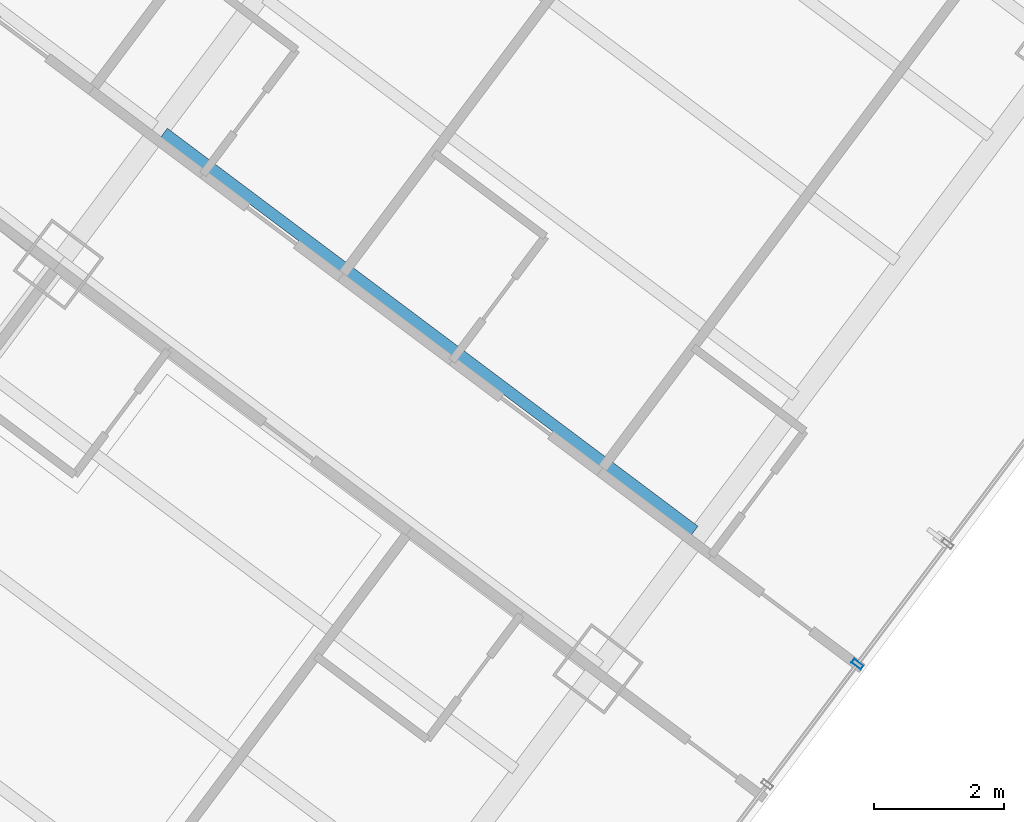
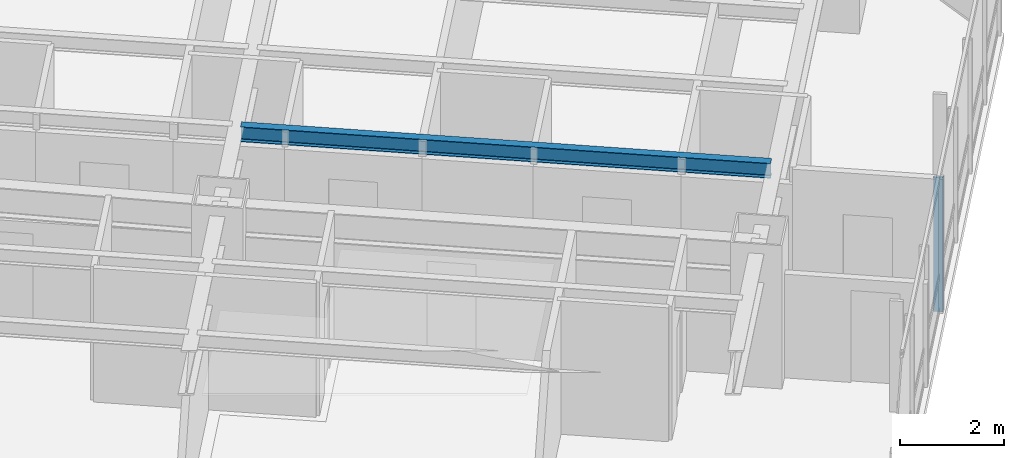
# One storey, part 10 of 37: 1 beam, 1 member, 1 element without a shape of its own.
"""IFC4 building model written with IfcOpenShell, lengths in metres."""

from ifc_helpers import new_model, si_unit, direction, frame, origin, origin_2d, place, context, subcontext, project, spatial, hollow_rectangle, i_section, extrude, material, layer, layer_set, material_profile, profile_set, type_object, element, aggregate, save


model = new_model("IFC4")

# Units and contexts
model_context = context("Model", 3, precision=1e-05, world=origin(), true_north=direction((0.0, 1.0)))
body_context = subcontext(model_context, "Body", "Model", "MODEL_VIEW")
ifc_project = project(units=[si_unit("LENGTHUNIT", "METRE"), si_unit("AREAUNIT", "SQUARE_METRE"), si_unit("VOLUMEUNIT", "CUBIC_METRE"), si_unit("PLANEANGLEUNIT", "RADIAN"), si_unit("MASSUNIT", "GRAM", prefix="KILO")], contexts=[model_context])

# Site, building, storey
site_placement = place(None, origin())
site = spatial("IfcSite", under=ifc_project, at=site_placement, CompositionType="ELEMENT")
building_placement = place(site_placement, origin())
building = spatial("IfcBuilding", under=site, at=building_placement, Name="Hatsunagi Terrace Concourse", CompositionType="ELEMENT")
storey_placement = place(building_placement, frame((0.0, 0.0, 50.0)))
storey = spatial("IfcBuildingStorey", under=building, at=storey_placement, Name="L12", CompositionType="ELEMENT", Elevation=50.0)

# Curtain wall, member
ifc_material_1 = material(Name="Anodised Aluminium Alloy 6063-T5", Category="aluminium")
ifc_layer = layer(ifc_material_1, 0.199951171875)
ifc_layer_set = layer_set([ifc_layer], Name="HotelFacade_CW02")
curtain_wall_type = type_object("IfcCurtainWallType", Name="HotelFacade_CW02", PredefinedType="NOTDEFINED", material=ifc_layer_set)
curtain_wall_placement = place(storey_placement, origin())
curtain_wall = element("IfcCurtainWall", 1, at=curtain_wall_placement, inside=storey, type_object=curtain_wall_type, Name="Unitised Curtain Wall CW-02 CW-L12-03", PredefinedType="NOTDEFINED")
ifc_material_2 = material(Name="Anodised Aluminium Alloy 6063-T5", Category="aluminium")
ifc_material_profile_1 = material_profile(ifc_material_2, hollow_rectangle(XDim=0.070068359375, YDim=0.179931640625, WallThickness=0.00390625, at=origin_2d()), Name="ALU-MUL-180x70x4")
ifc_profile_set_1 = profile_set([ifc_material_profile_1], Name="Anodised Aluminium Alloy 6063-T5")
member_type = type_object("IfcMemberType", Name="CurtainWallMullion_180x70", PredefinedType="MULLION", material=ifc_profile_set_1)
member_placement = place(storey_placement, frame((63.52392578125, 12.23193359375, 0.0), z_axis=(0.0, 0.0, 1.0), x_axis=(-0.599969314634, -0.800023013105, 0.0)))
member = element("IfcMember", 2, at=member_placement, type_object=member_type, Name="Curtain Wall Mullion MUL-02", PredefinedType="MULLION", context=body_context, shape_type="SweptSolid", body=[
    extrude(hollow_rectangle(XDim=0.070068359375, YDim=0.179931640625, WallThickness=0.00390625, at=origin_2d()), origin(), (0.0, 0.0, 1.0), 3.1298828125),
])
aggregate(curtain_wall, [member])

# Beam
ifc_material_3 = material(Name="Steel SN490B", Category="steel")
ifc_material_profile_2 = material_profile(ifc_material_3, i_section(OverallWidth=0.175048828125, OverallDepth=0.35009765625, WebThickness=0.007080078125, FlangeThickness=0.010986328125, FilletRadius=0.012939453125, at=origin_2d()), Name="H-350x175x7x11")
ifc_profile_set_2 = profile_set([ifc_material_profile_2], Name="Steel SN490B")
beam_type = type_object("IfcBeamType", Name="HotelJoist_H_350x175", PredefinedType="JOIST", material=ifc_profile_set_2)
beam_placement = place(storey_placement, frame((52.827880859375, 20.428955078125, 2.955078125), z_axis=(0.800005727586, -0.599992363142, 0.0), x_axis=(0.599992363142, 0.800005727586, 0.0)))
element("IfcBeam", 3, at=beam_placement, inside=storey, type_object=beam_type, Name="Beam J-02 J-L12-SE-3-142", PredefinedType="JOIST", context=body_context, shape_type="SweptSolid", body=[
    extrude(i_section(OverallWidth=0.175048828125, OverallDepth=0.35009765625, WebThickness=0.007080078125, FlangeThickness=0.010986328125, FilletRadius=0.012939453125, at=origin_2d()), origin(), (0.0, 0.0, 1.0), 10.22998046875),
])

save(model, "model.ifc")
